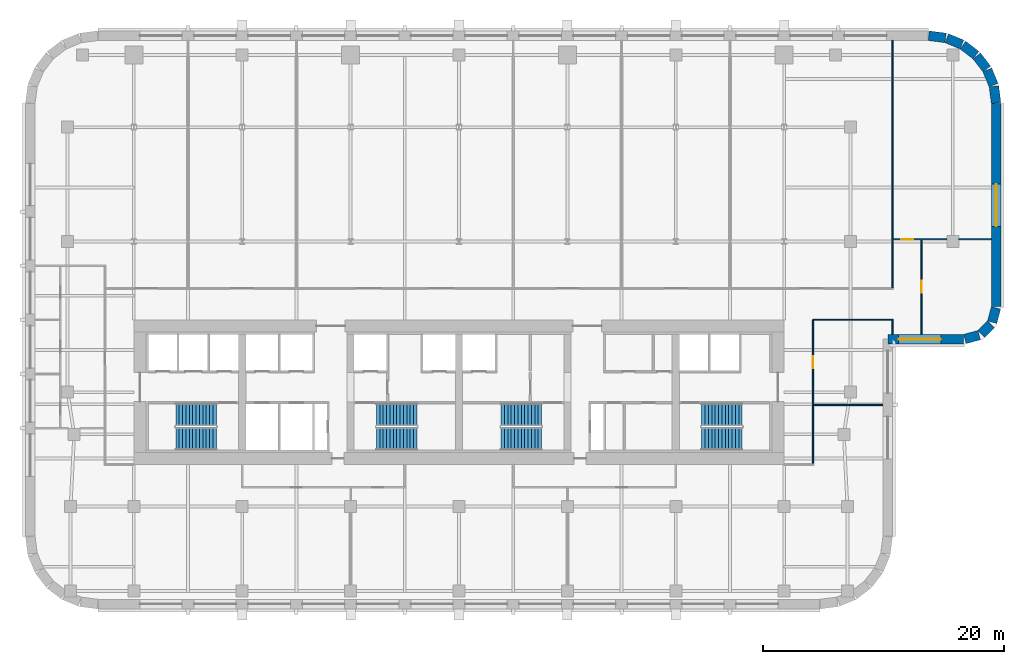
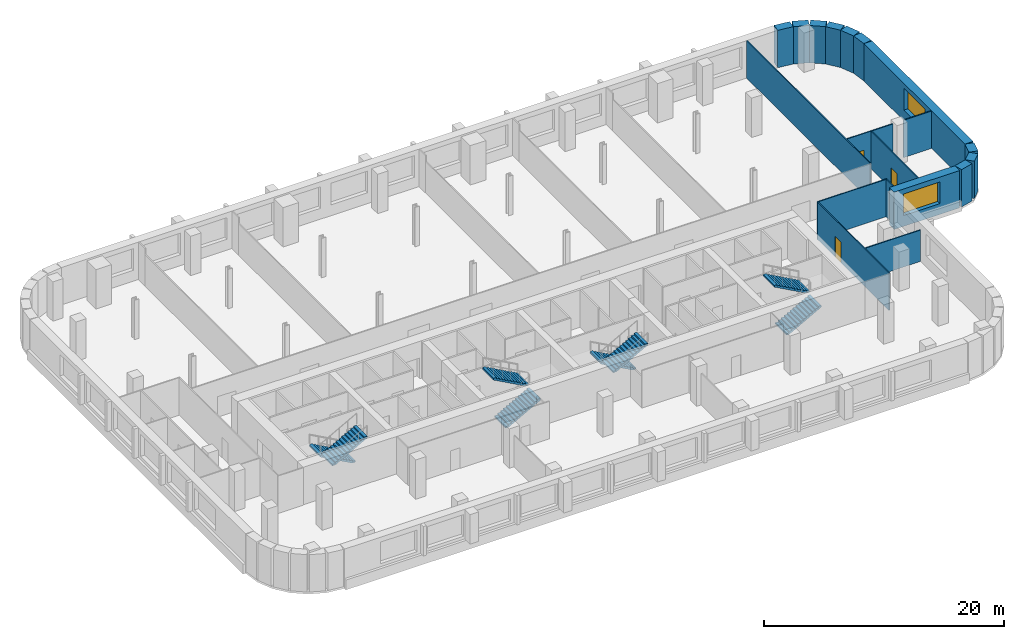
# One storey, part 7 of 9: 19 walls, 8 stair flights, 3 doors, 2 windows, 5 openings, 4 elements without a shape of their own.
"""IFC4 building model written with IfcOpenShell, lengths in metres."""

import ifcopenshell
import ifcopenshell.guid

model = None  # the IFC model being written
_history = None  # IfcOwnerHistory: only IFC2X3 demands one
_inside = {}  # id of a spatial element -> (the spatial element, [elements in it])
_under = {}  # id of a project, library or spatial element -> (it, [spatial elements below it])
_declared = {}  # id of a project -> (the project, [libraries it declares])
_typed = {}  # id of a type object -> (the type object, [elements of that type])
_made_of = {}  # id of a material, layer set ... -> (it, [elements and type objects made of it])


def new_model(schema):
    """Start an empty IFC model of exactly this schema.

    Asked for "IFC4X3", IfcOpenShell would pick the latest addendum, in which some entities
    have other attributes; the version numbers below select the first issue.
    IFC2X3 requires an IfcOwnerHistory on every rooted entity: one is made here for all.
    """
    global model, _history
    if schema == "IFC4X3":
        model = ifcopenshell.file(schema_version=(4, 3, 0, 0))
    else:
        model = ifcopenshell.file(schema=schema)
    _inside.clear()
    _under.clear()
    _declared.clear()
    _typed.clear()
    _made_of.clear()
    _history = None
    if model.schema == "IFC2X3":
        org = make("IfcOrganization", Name="unknown")
        user = make(
            "IfcPersonAndOrganization",
            ThePerson=make("IfcPerson", FamilyName="unknown"),
            TheOrganization=org,
        )
        app = make(
            "IfcApplication",
            ApplicationDeveloper=org,
            Version="unknown",
            ApplicationFullName="unknown",
            ApplicationIdentifier="unknown",
        )
        _history = make(
            "IfcOwnerHistory",
            OwningUser=user,
            OwningApplication=app,
            ChangeAction="ADDED",
            CreationDate=0,
        )
    return model


def make(cls, **values):
    """One entity of the class cls with the attributes given. An attribute that is None is left unset."""
    return model.create_entity(
        cls, **{name: value for name, value in values.items() if value is not None}
    )


def rooted(cls, **values):
    """An entity with a GlobalId (a new one), such as an element, a storey or a relation."""
    return make(cls, GlobalId=ifcopenshell.guid.new(), OwnerHistory=_history, **values)


def si_unit(unit_type, name, prefix=None):
    """IfcSIUnit, for example si_unit("LENGTHUNIT", "METRE", prefix="MILLI")."""
    return make("IfcSIUnit", UnitType=unit_type, Prefix=prefix, Name=name)


def assignment(units):
    """IfcUnitAssignment: the units of a project."""
    return None if units is None else make("IfcUnitAssignment", Units=units)


def point(xyz):
    """IfcCartesianPoint."""
    return None if xyz is None else make("IfcCartesianPoint", Coordinates=xyz)


def direction(xyz):
    """IfcDirection."""
    return None if xyz is None else make("IfcDirection", DirectionRatios=xyz)


def frame(location, z_axis=None, x_axis=None):
    """IfcAxis2Placement3D, a coordinate frame: its origin and axes. An axis left out is left unset."""
    return make(
        "IfcAxis2Placement3D",
        Location=point(location),
        Axis=direction(z_axis),
        RefDirection=direction(x_axis),
    )


def frame_2d(location, x_axis=None):
    """IfcAxis2Placement2D, a coordinate frame in the plane: its origin and x axis."""
    return make(
        "IfcAxis2Placement2D", Location=point(location), RefDirection=direction(x_axis)
    )


def origin():
    """The frame at (0, 0, 0) with its axes left unset."""
    return frame((0.0, 0.0, 0.0))


def place(relative_to, where):
    """IfcLocalPlacement: puts the frame where relative to a parent placement (None: the world)."""
    return make(
        "IfcLocalPlacement", PlacementRelTo=relative_to, RelativePlacement=where
    )


def context(
    kind, dimensions, precision=None, world=None, true_north=None, identifier=None
):
    """IfcGeometricRepresentationContext, for example the 3D "Model" context."""
    return make(
        "IfcGeometricRepresentationContext",
        ContextIdentifier=identifier,
        ContextType=kind,
        CoordinateSpaceDimension=dimensions,
        Precision=precision,
        WorldCoordinateSystem=world,
        TrueNorth=true_north,
    )


def subcontext(parent, identifier, kind, view, scale=None):
    """IfcGeometricRepresentationSubContext, for example "Body" below "Model"."""
    return make(
        "IfcGeometricRepresentationSubContext",
        ContextIdentifier=identifier,
        ContextType=kind,
        ParentContext=parent,
        TargetScale=scale,
        TargetView=view,
    )


def project(units=None, contexts=None):
    """IfcProject with its units and contexts."""
    return rooted(
        "IfcProject",
        Name="project",
        RepresentationContexts=contexts,
        UnitsInContext=assignment(units),
    )


def spatial(cls, under=None, at=None, **own):
    """A site, building, storey or space (cls), placed at a placement, below another one or the project."""
    s = rooted(cls, ObjectPlacement=at, **own)
    if under is not None:
        _under.setdefault(under.id(), (under, []))[1].append(s)
    return s


def polyline(points):
    """IfcPolyline through the points."""
    return make("IfcPolyline", Points=[point(p) for p in points])


def profile(cls, at=None, kind="AREA", **sizes):
    """A parametric profile (cls). Its sizes go by their IFC names, for example OverallWidth=200.0."""
    return make(cls, ProfileType=kind, Position=at, **sizes)


def rectangle(**sizes):
    """IfcRectangleProfileDef."""
    return profile("IfcRectangleProfileDef", **sizes)


def outline(outer, holes=None, kind="AREA"):
    """IfcArbitraryClosedProfileDef: a profile drawn as a closed curve; with holes, ...WithVoids."""
    if holes is None:
        return make("IfcArbitraryClosedProfileDef", ProfileType=kind, OuterCurve=outer)
    return make(
        "IfcArbitraryProfileDefWithVoids",
        ProfileType=kind,
        OuterCurve=outer,
        InnerCurves=holes,
    )


def extrude(swept, where, along, depth):
    """IfcExtrudedAreaSolid: the profile swept, set in the frame where, extruded along a direction by depth."""
    return make(
        "IfcExtrudedAreaSolid",
        SweptArea=swept,
        Position=where,
        ExtrudedDirection=direction(along),
        Depth=depth,
    )


def shape(context_of_items, identifier, shape_type, items):
    """IfcShapeRepresentation: the items that make up one representation, for example the "Body"."""
    return make(
        "IfcShapeRepresentation",
        ContextOfItems=context_of_items,
        RepresentationIdentifier=identifier,
        RepresentationType=shape_type,
        Items=items,
    )


def material(Name=None, Category=None):
    """IfcMaterial."""
    return make("IfcMaterial", Name=Name, Category=Category)


def layer(
    of_material, thickness, ventilated=None, Name=None, Category=None, Priority=None
):
    """IfcMaterialLayer: one layer of a wall or slab, of a material (None: an air gap)."""
    return make(
        "IfcMaterialLayer",
        Material=of_material,
        LayerThickness=thickness,
        IsVentilated=ventilated,
        Name=Name,
        Category=Category,
        Priority=Priority,
    )


def layer_set(layers, Name=None):
    """IfcMaterialLayerSet."""
    return make("IfcMaterialLayerSet", MaterialLayers=layers, LayerSetName=Name)


def made_of(thing, what):
    """Note that an element or type object is made of a material, layer set ...; save() writes the relation."""
    if what is not None:
        _made_of.setdefault(what.id(), (what, []))[1].append(thing)
    return thing


def type_object(cls, material=None, **own):
    """A type object (cls), such as IfcWallType, which elements share."""
    return made_of(rooted(cls, **own), material)


def element(
    cls,
    number,
    at=None,
    inside=None,
    cuts=None,
    type_object=None,
    material=None,
    context=None,
    identifier="Body",
    shape_type=None,
    held_by="IfcProductDefinitionShape",
    body=None,
    shapes=None,
    **own,
):
    """One element of the class cls, such as IfcWall. Its Tag is "e" and its number.

    at: its placement. inside: the storey or other place that contains it. cuts: it is an
    opening in that element (IfcRelVoidsElement). A single representation is given by context,
    identifier, shape_type and body (its items); several are given by shapes. held_by: the class
    of the entity that holds the representations. save() writes the other relations.
    """
    e = rooted(cls, Tag="e%d" % number, ObjectPlacement=at, **own)
    if body is not None:
        shapes = [shape(context, identifier, shape_type, body)]
    if shapes is not None:
        e.Representation = make(held_by, Representations=shapes)
    if inside is not None:
        _inside.setdefault(inside.id(), (inside, []))[1].append(e)
    if cuts is not None:
        rooted(
            "IfcRelVoidsElement", RelatingBuildingElement=cuts, RelatedOpeningElement=e
        )
    if type_object is not None:
        _typed.setdefault(type_object.id(), (type_object, []))[1].append(e)
    return made_of(e, material)


def fill(opening, filler):
    """IfcRelFillsElement: the door or window that sits in an opening."""
    return rooted(
        "IfcRelFillsElement",
        RelatingOpeningElement=opening,
        RelatedBuildingElement=filler,
    )


def aggregate(whole, parts):
    """IfcRelAggregates: a whole, such as a stair, and the parts it consists of."""
    return rooted("IfcRelAggregates", RelatingObject=whole, RelatedObjects=parts)


def save(model, path):
    """Write the relations noted so far, then the file.

    IfcRelAggregates (storeys below a building ...), IfcRelContainedInSpatialStructure (elements
    in a storey), IfcRelDefinesByType, IfcRelAssociatesMaterial and IfcRelDeclares: one each for
    every whole, place, type object, material and project.
    """
    for whole, parts in _under.values():
        aggregate(whole, parts)
    for where, things in _inside.values():
        rooted(
            "IfcRelContainedInSpatialStructure",
            RelatedElements=things,
            RelatingStructure=where,
        )
    for kind, things in _typed.values():
        rooted("IfcRelDefinesByType", RelatedObjects=things, RelatingType=kind)
    for what, things in _made_of.values():
        rooted("IfcRelAssociatesMaterial", RelatedObjects=things, RelatingMaterial=what)
    for by, libraries in _declared.values():
        rooted("IfcRelDeclares", RelatingContext=by, RelatedDefinitions=libraries)
    model.write(path)


model = new_model("IFC4")

# Units and contexts
model_context = context("Model", 3, precision=1e-05, world=origin(), true_north=direction((0.0, 1.0)))
body_context = subcontext(model_context, "Body", "Model", "MODEL_VIEW")
ifc_project = project(units=[si_unit("LENGTHUNIT", "METRE"), si_unit("AREAUNIT", "SQUARE_METRE"), si_unit("VOLUMEUNIT", "CUBIC_METRE"), si_unit("PLANEANGLEUNIT", "RADIAN"), si_unit("MASSUNIT", "GRAM", prefix="KILO")], contexts=[model_context])

# Site, building, storey
site_placement = place(None, origin())
site = spatial("IfcSite", under=ifc_project, at=site_placement, CompositionType="ELEMENT")
building_placement = place(site_placement, origin())
building = spatial("IfcBuilding", under=site, at=building_placement, Name="Zellij Exchange Tower", CompositionType="ELEMENT")
storey_placement = place(building_placement, frame((0.0, 0.0, 136.5)))
storey = spatial("IfcBuildingStorey", under=building, at=storey_placement, Name="L30", CompositionType="ELEMENT", Elevation=136.5)

# Wall, opening, window
ifc_material_1 = material(Name="Precast concrete C40/50", Category="concrete")
ifc_layer_1 = layer(ifc_material_1, 0.800048828125)
ifc_layer_set_1 = layer_set([ifc_layer_1], Name="Precast concrete C40/50")
wall_type_1 = type_object("IfcWallType", Name="ENV-EW1 Precast stone-piered wall 800", PredefinedType="SOLIDWALL", material=ifc_layer_set_1)
wall_1_placement = place(storey_placement, frame((35.60009765625, -3.60009765625, 0.0), z_axis=(0.0, 0.0, 1.0), x_axis=(1.0, 0.0, 0.0)))
wall_1 = element("IfcWall", 1, at=wall_1_placement, inside=storey, type_object=wall_type_1, Name="fac.L30.08", PredefinedType="SOLIDWALL", context=body_context, shape_type="SweptSolid", body=[
    extrude(rectangle(XDim=6.29443359375, YDim=0.800048828125, at=frame_2d((3.147216796875, 0.0))), origin(), (0.0, 0.0, 1.0), 3.800048828125),
])
opening_1_placement = place(wall_1_placement, frame((0.89990234375, 0.0, 1.10009765625)))
opening_1 = element("IfcOpeningElement", 2, at=opening_1_placement, cuts=wall_1, Name="Opening FZ2.15", PredefinedType="OPENING", context=body_context, shape_type="SweptSolid", body=[
    extrude(rectangle(XDim=3.5, YDim=2.199951171875, at=frame_2d((1.75, 1.10009765625))), frame((0.0, 0.412109375, 0.0), z_axis=(0.0, -1.0, 0.0), x_axis=(1.0, 0.0, 0.0)), (0.0, 0.0, 1.0), 0.823974609375),
])
ifc_material_2 = material(Name="Aluminium frame with insulating glass", Category="aluminium")
window_type = type_object("IfcWindowType", Name="ENV-W7 Window 3500x2200", PartitioningType="SINGLE_PANEL", PredefinedType="WINDOW", material=ifc_material_2)
window_1_placement = place(opening_1_placement, origin())
window_1 = element("IfcWindow", 3, at=window_1_placement, inside=storey, type_object=window_type, Name="Window FZ2.15", OverallHeight=2.199951171875, OverallWidth=3.5, PartitioningType="SINGLE_PANEL", PredefinedType="WINDOW", context=body_context, shape_type="SweptSolid", body=[
    extrude(rectangle(XDim=3.5, YDim=2.199951171875, at=frame_2d((1.75, 1.10009765625))), frame((0.0, 0.030029296875, 0.0), z_axis=(0.0, -1.0, 0.0), x_axis=(1.0, 0.0, 0.0)), (0.0, 0.0, 1.0), 0.06005859375),
])
fill(opening_1, window_1)

# Walls
wall_2_placement = place(storey_placement, frame((41.998291015625, -3.58642578125, 0.0), z_axis=(0.0, 0.0, 1.0), x_axis=(0.965892366842, 0.258943885187, 0.0)))
element("IfcWall", 4, at=wall_2_placement, inside=storey, type_object=wall_type_1, Name="fac.L30.09", PredefinedType="SOLIDWALL", context=body_context, shape_type="SweptSolid", body=[
    extrude(rectangle(XDim=1.233154296875, YDim=0.800048828125, at=frame_2d((0.61669921875, 0.0))), origin(), (0.0, 0.0, 1.0), 3.800048828125),
])
wall_3_placement = place(storey_placement, frame((43.36865234375, -3.163818359375, 0.0), z_axis=(0.0, 0.0, 1.0), x_axis=(0.707106781187, 0.707106781187, 0.0)))
element("IfcWall", 5, at=wall_3_placement, inside=storey, type_object=wall_type_1, Name="fac.L30.10", PredefinedType="SOLIDWALL", context=body_context, shape_type="SweptSolid", body=[
    extrude(rectangle(XDim=1.12451171875, YDim=0.800048828125, at=frame_2d((0.562255859375, 0.0))), origin(), (0.0, 0.0, 1.0), 3.800048828125),
])
wall_4_placement = place(storey_placement, frame((44.26708984375, -2.189453125, 0.0), z_axis=(0.0, 0.0, 1.0), x_axis=(0.258943885187, 0.965892366842, 0.0)))
element("IfcWall", 6, at=wall_4_placement, inside=storey, type_object=wall_type_1, Name="fac.L30.11", PredefinedType="SOLIDWALL", context=body_context, shape_type="SweptSolid", body=[
    extrude(rectangle(XDim=1.233154296875, YDim=0.800048828125, at=frame_2d((0.61669921875, 0.0))), origin(), (0.0, 0.0, 1.0), 3.800048828125),
])

# Wall, opening, window
wall_5_placement = place(storey_placement, frame((44.60009765625, -0.89453125, 0.0), z_axis=(0.0, 0.0, 1.0), x_axis=(0.0, 1.0, 0.0)))
wall_5 = element("IfcWall", 7, at=wall_5_placement, inside=storey, type_object=wall_type_1, Name="fac.L30.12", PredefinedType="SOLIDWALL", context=body_context, shape_type="SweptSolid", body=[
    extrude(rectangle(XDim=16.842041015625, YDim=0.800048828125, at=frame_2d((8.4208984375, 0.0))), origin(), (0.0, 0.0, 1.0), 3.800048828125),
])
opening_2_placement = place(wall_5_placement, frame((6.657958984375, 0.0, 1.10009765625)))
opening_2 = element("IfcOpeningElement", 8, at=opening_2_placement, cuts=wall_5, Name="Opening FZ2.16", PredefinedType="OPENING", context=body_context, shape_type="SweptSolid", body=[
    extrude(rectangle(XDim=3.5, YDim=2.199951171875, at=frame_2d((1.75, 1.10009765625))), frame((0.0, 0.412109375, 0.0), z_axis=(0.0, -1.0, 0.0), x_axis=(1.0, 0.0, 0.0)), (0.0, 0.0, 1.0), 0.823974609375),
])
window_2_placement = place(opening_2_placement, origin())
window_2 = element("IfcWindow", 9, at=window_2_placement, inside=storey, type_object=window_type, Name="Window FZ2.16", OverallHeight=2.199951171875, OverallWidth=3.5, PartitioningType="SINGLE_PANEL", PredefinedType="WINDOW", context=body_context, shape_type="SweptSolid", body=[
    extrude(rectangle(XDim=3.5, YDim=2.199951171875, at=frame_2d((1.75, 1.10009765625))), frame((0.0, 0.030029296875, 0.0), z_axis=(0.0, -1.0, 0.0), x_axis=(1.0, 0.0, 0.0)), (0.0, 0.0, 1.0), 0.06005859375),
])
fill(opening_2, window_2)

# Walls
wall_6_placement = place(storey_placement, frame((44.5966796875, 15.999755859375, 0.0), z_axis=(0.0, 0.0, 1.0), x_axis=(-0.130517283865, 0.99144603414, 0.0)))
element("IfcWall", 10, at=wall_6_placement, inside=storey, type_object=wall_type_1, Name="fac.L30.13", PredefinedType="SOLIDWALL", context=body_context, shape_type="SweptSolid", body=[
    extrude(rectangle(XDim=1.408447265625, YDim=0.800048828125, at=frame_2d((0.7041015625, 0.0))), origin(), (0.0, 0.0, 1.0), 3.800048828125),
])
wall_7_placement = place(storey_placement, frame((44.3857421875, 17.497314453125, 0.0), z_axis=(0.0, 0.0, 1.0), x_axis=(-0.38276009378, 0.923847774587, 0.0)))
element("IfcWall", 11, at=wall_7_placement, inside=storey, type_object=wall_type_1, Name="fac.L30.14", PredefinedType="SOLIDWALL", context=body_context, shape_type="SweptSolid", body=[
    extrude(rectangle(XDim=1.35546875, YDim=0.800048828125, at=frame_2d((0.677734375, 0.0))), origin(), (0.0, 0.0, 1.0), 3.800048828125),
])
for number, where, z_axis, x_axis, name in (
    (12, (43.814697265625, 18.840087890625, 0.0), (0.0, 0.0, 1.0), (-0.608866226366, 0.793272915452, 0.0), "fac.L30.15"),
    (13, (42.91552734375, 19.9892578125, 0.0), (0.0, 0.0, 1.0), (-0.793272915452, 0.608866226366, 0.0), "fac.L30.16"),
):
    element("IfcWall", number, at=place(storey_placement, frame(where, z_axis=z_axis, x_axis=x_axis)), inside=storey, type_object=wall_type_1, Name=name, PredefinedType="SOLIDWALL", context=body_context, shape_type="SweptSolid", body=[
        extrude(rectangle(XDim=1.355712890625, YDim=0.800048828125, at=frame_2d((0.677734375, 0.0))), origin(), (0.0, 0.0, 1.0), 3.800048828125),
    ])
wall_8_placement = place(storey_placement, frame((41.74951171875, 20.866943359375, 0.0), z_axis=(0.0, 0.0, 1.0), x_axis=(-0.923847774587, 0.38276009378, 0.0)))
element("IfcWall", 14, at=wall_8_placement, inside=storey, type_object=wall_type_1, Name="fac.L30.17", PredefinedType="SOLIDWALL", context=body_context, shape_type="SweptSolid", body=[
    extrude(rectangle(XDim=1.35546875, YDim=0.800048828125, at=frame_2d((0.677734375, 0.0))), origin(), (0.0, 0.0, 1.0), 3.800048828125),
])
wall_9_placement = place(storey_placement, frame((40.396240234375, 21.412841796875, 0.0), z_axis=(0.0, 0.0, 1.0), x_axis=(-0.99144603414, 0.130517283865, 0.0)))
element("IfcWall", 15, at=wall_9_placement, inside=storey, type_object=wall_type_1, Name="fac.L30.18", PredefinedType="SOLIDWALL", context=body_context, shape_type="SweptSolid", body=[
    extrude(rectangle(XDim=1.408447265625, YDim=0.800048828125, at=frame_2d((0.7041015625, 0.0))), origin(), (0.0, 0.0, 1.0), 3.800048828125),
])

# Wall, opening, door
ifc_material_3 = material(Name="Gypsum board partition on steel studs", Category="steel")
ifc_layer_2 = layer(ifc_material_3, 0.10009765625)
ifc_layer_set_2 = layer_set([ifc_layer_2], Name="Gypsum board partition on steel studs")
wall_type_2 = type_object("IfcWallType", Name="FIT-PARTITION-100", PredefinedType="PARTITIONING", material=ifc_layer_set_2)
wall_10_placement = place(storey_placement, frame((29.39990234375, -13.949951171875, 0.0), z_axis=(0.0, 0.0, 1.0), x_axis=(0.0, 1.0, 0.0)))
wall_10 = element("IfcWall", 16, at=wall_10_placement, inside=storey, type_object=wall_type_2, Name="FIT-PARTITION-100 014", PredefinedType="PARTITIONING", context=body_context, shape_type="SweptSolid", body=[
    extrude(rectangle(XDim=11.89990234375, YDim=0.10009765625, at=frame_2d((5.949951171875, 0.0))), origin(), (0.0, 0.0, 1.0), 3.800048828125),
])
opening_3_placement = place(wall_10_placement, frame((7.93994140625, 0.0, 0.0)))
opening_3 = element("IfcOpeningElement", 17, at=opening_3_placement, cuts=wall_10, Name="Opening TG.05", PredefinedType="OPENING", context=body_context, shape_type="SweptSolid", body=[
    extrude(rectangle(XDim=1.0, YDim=2.10009765625, at=frame_2d((0.5, 1.050048828125))), frame((0.0, 0.06201171875, 0.0), z_axis=(0.0, -1.0, 0.0), x_axis=(1.0, 0.0, 0.0)), (0.0, 0.0, 1.0), 0.1240234375),
])
ifc_material_4 = material(Name="Timber door set", Category="wood")
door_type = type_object("IfcDoorType", Name="FIT-D2-WIDE-1000X2100", OperationType="SINGLE_SWING_LEFT", PredefinedType="DOOR", material=ifc_material_4)
door_1_placement = place(opening_3_placement, origin())
door_1 = element("IfcDoor", 18, at=door_1_placement, inside=storey, type_object=door_type, Name="Door TG.05", OperationType="SINGLE_SWING_RIGHT", OverallHeight=2.10009765625, OverallWidth=1.0, PredefinedType="DOOR", context=body_context, shape_type="SweptSolid", body=[
    extrude(rectangle(XDim=1.0, YDim=2.10009765625, at=frame_2d((0.5, 1.050048828125))), frame((0.0, 0.02490234375, 0.0), z_axis=(0.0, -1.0, 0.0), x_axis=(1.0, 0.0, 0.0)), (0.0, 0.0, 1.0), 0.050048828125),
])
fill(opening_3, door_1)

# Walls
wall_11_placement = place(storey_placement, frame((29.449951171875, -9.06005859375, 0.0), z_axis=(0.0, 0.0, 1.0), x_axis=(1.0, 0.0, 0.0)))
element("IfcWall", 19, at=wall_11_placement, inside=storey, type_object=wall_type_2, Name="FIT-PARTITION-100 018", PredefinedType="PARTITIONING", context=body_context, shape_type="SweptSolid", body=[
    extrude(rectangle(XDim=5.75, YDim=0.10009765625, at=frame_2d((2.875, 0.0))), origin(), (0.0, 0.0, 1.0), 3.197998046875),
])
wall_12_placement = place(storey_placement, frame((36.0, -3.199951171875, 0.0), z_axis=(0.0, 0.0, 1.0), x_axis=(0.0, 1.0, 0.0)))
element("IfcWall", 20, at=wall_12_placement, inside=storey, type_object=wall_type_2, Name="FIT-PARTITION-100 020", PredefinedType="PARTITIONING", context=body_context, shape_type="SweptSolid", body=[
    extrude(rectangle(XDim=1.14990234375, YDim=0.10009765625, at=frame_2d((0.574951171875, 0.0))), origin(), (0.0, 0.0, 1.0), 3.800048828125),
])

# Wall, opening, door
wall_13_placement = place(storey_placement, frame((38.39990234375, -3.199951171875, 0.0), z_axis=(0.0, 0.0, 1.0), x_axis=(0.0, 1.0, 0.0)))
wall_13 = element("IfcWall", 21, at=wall_13_placement, inside=storey, type_object=wall_type_2, Name="FIT-PARTITION-100 021", PredefinedType="PARTITIONING", context=body_context, shape_type="SweptSolid", body=[
    extrude(rectangle(XDim=7.83984375, YDim=0.10009765625, at=frame_2d((3.919921875, 0.0))), origin(), (0.0, 0.0, 1.0), 3.800048828125),
])
opening_4_placement = place(wall_13_placement, frame((3.449951171875, 0.0, 0.0)))
opening_4 = element("IfcOpeningElement", 22, at=opening_4_placement, cuts=wall_13, Name="Opening TG.16", PredefinedType="OPENING", context=body_context, shape_type="SweptSolid", body=[
    extrude(rectangle(XDim=1.0, YDim=2.10009765625, at=frame_2d((0.5, 1.050048828125))), frame((0.0, 0.06201171875, 0.0), z_axis=(0.0, -1.0, 0.0), x_axis=(1.0, 0.0, 0.0)), (0.0, 0.0, 1.0), 0.1240234375),
])
door_2_placement = place(opening_4_placement, origin())
door_2 = element("IfcDoor", 23, at=door_2_placement, inside=storey, type_object=door_type, Name="Door TG.16", OperationType="SINGLE_SWING_RIGHT", OverallHeight=2.10009765625, OverallWidth=1.0, PredefinedType="DOOR", context=body_context, shape_type="SweptSolid", body=[
    extrude(rectangle(XDim=1.0, YDim=2.10009765625, at=frame_2d((0.5, 1.050048828125))), frame((0.0, 0.02490234375, 0.0), z_axis=(0.0, -1.0, 0.0), x_axis=(1.0, 0.0, 0.0)), (0.0, 0.0, 1.0), 0.050048828125),
])
fill(opening_4, door_2)

# Walls
wall_14_placement = place(storey_placement, frame((29.35009765625, -2.0, 0.0), z_axis=(0.0, 0.0, 1.0), x_axis=(1.0, 0.0, 0.0)))
element("IfcWall", 24, at=wall_14_placement, inside=storey, type_object=wall_type_2, Name="FIT-PARTITION-100 023", PredefinedType="PARTITIONING", context=body_context, shape_type="SweptSolid", body=[
    extrude(rectangle(XDim=6.699951171875, YDim=0.10009765625, at=frame_2d((3.35009765625, 0.0))), origin(), (0.0, 0.0, 1.0), 3.800048828125),
])
wall_15_placement = place(storey_placement, frame((36.0, 0.64990234375, 0.0), z_axis=(0.0, 0.0, 1.0), x_axis=(0.0, 1.0, 0.0)))
element("IfcWall", 25, at=wall_15_placement, inside=storey, type_object=wall_type_2, Name="FIT-PARTITION-100 035", PredefinedType="PARTITIONING", context=body_context, shape_type="SweptSolid", body=[
    extrude(rectangle(XDim=20.550048828125, YDim=0.10009765625, at=frame_2d((10.27490234375, 0.0))), origin(), (0.0, 0.0, 1.0), 3.800048828125),
])

# Wall, opening, door
wall_16_placement = place(storey_placement, frame((36.050048828125, 4.68994140625, 0.0), z_axis=(0.0, 0.0, 1.0), x_axis=(1.0, 0.0, 0.0)))
wall_16 = element("IfcWall", 26, at=wall_16_placement, inside=storey, type_object=wall_type_2, Name="FIT-PARTITION-100 037", PredefinedType="PARTITIONING", context=body_context, shape_type="SweptSolid", body=[
    extrude(rectangle(XDim=4.449951171875, YDim=0.10009765625, at=frame_2d((2.22509765625, 0.0))), origin(), (0.0, 0.0, 1.0), 3.800048828125),
])
opening_5_placement = place(wall_16_placement, frame((0.64990234375, 0.0, 0.0)))
opening_5 = element("IfcOpeningElement", 27, at=opening_5_placement, cuts=wall_16, Name="Opening TG.17", PredefinedType="OPENING", context=body_context, shape_type="SweptSolid", body=[
    extrude(rectangle(XDim=1.0, YDim=2.10009765625, at=frame_2d((0.5, 1.050048828125))), frame((0.0, 0.06201171875, 0.0), z_axis=(0.0, -1.0, 0.0), x_axis=(1.0, 0.0, 0.0)), (0.0, 0.0, 1.0), 0.1240234375),
])
door_3_placement = place(opening_5_placement, origin())
door_3 = element("IfcDoor", 28, at=door_3_placement, inside=storey, type_object=door_type, Name="Door TG.17", OperationType="SINGLE_SWING_LEFT", OverallHeight=2.10009765625, OverallWidth=1.0, PredefinedType="DOOR", context=body_context, shape_type="SweptSolid", body=[
    extrude(rectangle(XDim=1.0, YDim=2.10009765625, at=frame_2d((0.5, 1.050048828125))), frame((0.0, 0.02490234375, 0.0), z_axis=(0.0, -1.0, 0.0), x_axis=(1.0, 0.0, 0.0)), (0.0, 0.0, 1.0), 0.050048828125),
])
fill(opening_5, door_3)

# Wall
wall_17_placement = place(storey_placement, frame((41.5, 4.68994140625, 0.0), z_axis=(0.0, 0.0, 1.0), x_axis=(1.0, 0.0, 0.0)))
element("IfcWall", 29, at=wall_17_placement, inside=storey, type_object=wall_type_2, Name="FIT-PARTITION-100 038", PredefinedType="PARTITIONING", context=body_context, shape_type="SweptSolid", body=[
    extrude(rectangle(XDim=2.699951171875, YDim=0.10009765625, at=frame_2d((1.35009765625, 0.0))), origin(), (0.0, 0.0, 1.0), 3.800048828125),
])

# Stair, stair flights
ifc_material_5 = material(Name="Concrete C40/50", Category="concrete")
stair_type = type_object("IfcStairType", Name="CORE-ST exit stair 1850 wide", PredefinedType="HALF_TURN_STAIR", material=ifc_material_5)
stair_1_placement = place(storey_placement, origin())
stair_1 = element("IfcStair", 30, at=stair_1_placement, inside=storey, type_object=stair_type, Name="L30 exit stair ST1", PredefinedType="HALF_TURN_STAIR")
stair_flight_type = type_object("IfcStairFlightType", Name="CORE-SF flight 1850 riser 153.8 going 280", PredefinedType="STRAIGHT", material=ifc_material_5)
stair_flight_1_placement = place(storey_placement, frame((-20.14990234375, -9.875, 0.0), z_axis=(0.0, 0.0, 1.0), x_axis=(-1.0, 0.0, 0.0)))
stair_flight_1 = element("IfcStairFlight", 31, at=stair_flight_1_placement, type_object=stair_flight_type, Name="ST1 flight 1", NumberOfRisers=13, NumberOfTreads=12, PredefinedType="STRAIGHT", RiserHeight=0.153846154, TreadLength=0.28, context=body_context, shape_type="SweptSolid", body=[
    extrude(outline(polyline([(0.0, 0.0), (0.0, 0.15380859375), (0.280029296875, 0.15380859375), (0.280029296875, 0.3076171875), (0.56005859375, 0.3076171875), (0.56005859375, 0.46142578125), (0.840087890625, 0.46142578125), (0.840087890625, 0.615478515625), (1.1201171875, 0.615478515625), (1.1201171875, 0.769287109375), (1.39990234375, 0.769287109375), (1.39990234375, 0.923095703125), (1.679931640625, 0.923095703125), (1.679931640625, 1.076904296875), (1.9599609375, 1.076904296875), (1.9599609375, 1.230712890625), (2.239990234375, 1.230712890625), (2.239990234375, 1.384521484375), (2.52001953125, 1.384521484375), (2.52001953125, 1.53857421875), (2.800048828125, 1.53857421875), (2.800048828125, 1.6923828125), (3.080078125, 1.6923828125), (3.080078125, 1.84619140625), (3.360107421875, 1.84619140625), (3.360107421875, 2.0), (3.360107421875, 1.675048828125), (0.311279296875, 0.0), (0.0, 0.0)])), frame((0.0, 0.925048828125, 0.0), z_axis=(0.0, -1.0, 0.0), x_axis=(1.0, 0.0, 0.0)), (0.0, 0.0, 1.0), 1.85009765625),
])
stair_flight_2_placement = place(storey_placement, frame((-23.510009765625, -11.875, 2.0), z_axis=(0.0, 0.0, 1.0), x_axis=(1.0, 0.0, 0.0)))
stair_flight_2 = element("IfcStairFlight", 32, at=stair_flight_2_placement, type_object=stair_flight_type, Name="ST1 flight 2", NumberOfRisers=13, NumberOfTreads=12, PredefinedType="STRAIGHT", RiserHeight=0.153846154, TreadLength=0.28, context=body_context, shape_type="SweptSolid", body=[
    extrude(outline(polyline([(0.0, 0.0), (0.0, 0.15380859375), (0.280029296875, 0.15380859375), (0.280029296875, 0.3076171875), (0.56005859375, 0.3076171875), (0.56005859375, 0.46142578125), (0.840087890625, 0.46142578125), (0.840087890625, 0.615478515625), (1.1201171875, 0.615478515625), (1.1201171875, 0.769287109375), (1.39990234375, 0.769287109375), (1.39990234375, 0.923095703125), (1.679931640625, 0.923095703125), (1.679931640625, 1.076904296875), (1.9599609375, 1.076904296875), (1.9599609375, 1.230712890625), (2.239990234375, 1.230712890625), (2.239990234375, 1.384521484375), (2.52001953125, 1.384521484375), (2.52001953125, 1.53857421875), (2.800048828125, 1.53857421875), (2.800048828125, 1.6923828125), (3.080078125, 1.6923828125), (3.080078125, 1.84619140625), (3.360107421875, 1.84619140625), (3.360107421875, 2.0), (3.360107421875, 1.675048828125), (0.311279296875, 0.0), (0.0, 0.0)])), frame((0.0, 0.925048828125, 0.0), z_axis=(0.0, -1.0, 0.0), x_axis=(1.0, 0.0, 0.0)), (0.0, 0.0, 1.0), 1.85009765625),
])
aggregate(stair_1, [stair_flight_1, stair_flight_2])

stair_2_placement = place(storey_placement, origin())
stair_2 = element("IfcStair", 33, at=stair_2_placement, inside=storey, type_object=stair_type, Name="L30 exit stair ST2", PredefinedType="HALF_TURN_STAIR")
stair_flight_3_placement = place(storey_placement, frame((-6.85009765625, -11.875, 0.0), z_axis=(0.0, 0.0, 1.0), x_axis=(1.0, 0.0, 0.0)))
stair_flight_3 = element("IfcStairFlight", 34, at=stair_flight_3_placement, type_object=stair_flight_type, Name="ST2 flight 1", NumberOfRisers=13, NumberOfTreads=12, PredefinedType="STRAIGHT", RiserHeight=0.153846154, TreadLength=0.28, context=body_context, shape_type="SweptSolid", body=[
    extrude(outline(polyline([(0.0, 0.0), (0.0, 0.15380859375), (0.280029296875, 0.15380859375), (0.280029296875, 0.3076171875), (0.56005859375, 0.3076171875), (0.56005859375, 0.46142578125), (0.840087890625, 0.46142578125), (0.840087890625, 0.615478515625), (1.1201171875, 0.615478515625), (1.1201171875, 0.769287109375), (1.39990234375, 0.769287109375), (1.39990234375, 0.923095703125), (1.679931640625, 0.923095703125), (1.679931640625, 1.076904296875), (1.9599609375, 1.076904296875), (1.9599609375, 1.230712890625), (2.239990234375, 1.230712890625), (2.239990234375, 1.384521484375), (2.52001953125, 1.384521484375), (2.52001953125, 1.53857421875), (2.800048828125, 1.53857421875), (2.800048828125, 1.6923828125), (3.080078125, 1.6923828125), (3.080078125, 1.84619140625), (3.360107421875, 1.84619140625), (3.360107421875, 2.0), (3.360107421875, 1.675048828125), (0.311279296875, 0.0), (0.0, 0.0)])), frame((0.0, 0.925048828125, 0.0), z_axis=(0.0, -1.0, 0.0), x_axis=(1.0, 0.0, 0.0)), (0.0, 0.0, 1.0), 1.85009765625),
])
stair_flight_4_placement = place(storey_placement, frame((-3.489990234375, -9.875, 2.0), z_axis=(0.0, 0.0, 1.0), x_axis=(-1.0, 0.0, 0.0)))
stair_flight_4 = element("IfcStairFlight", 35, at=stair_flight_4_placement, type_object=stair_flight_type, Name="ST2 flight 2", NumberOfRisers=13, NumberOfTreads=12, PredefinedType="STRAIGHT", RiserHeight=0.153846154, TreadLength=0.28, context=body_context, shape_type="SweptSolid", body=[
    extrude(outline(polyline([(0.0, 0.0), (0.0, 0.15380859375), (0.280029296875, 0.15380859375), (0.280029296875, 0.3076171875), (0.56005859375, 0.3076171875), (0.56005859375, 0.46142578125), (0.840087890625, 0.46142578125), (0.840087890625, 0.615478515625), (1.1201171875, 0.615478515625), (1.1201171875, 0.769287109375), (1.39990234375, 0.769287109375), (1.39990234375, 0.923095703125), (1.679931640625, 0.923095703125), (1.679931640625, 1.076904296875), (1.9599609375, 1.076904296875), (1.9599609375, 1.230712890625), (2.239990234375, 1.230712890625), (2.239990234375, 1.384521484375), (2.52001953125, 1.384521484375), (2.52001953125, 1.53857421875), (2.800048828125, 1.53857421875), (2.800048828125, 1.6923828125), (3.080078125, 1.6923828125), (3.080078125, 1.84619140625), (3.360107421875, 1.84619140625), (3.360107421875, 2.0), (3.360107421875, 1.675048828125), (0.311279296875, 0.0), (0.0, 0.0)])), frame((0.0, 0.925048828125, 0.0), z_axis=(0.0, -1.0, 0.0), x_axis=(1.0, 0.0, 0.0)), (0.0, 0.0, 1.0), 1.85009765625),
])
aggregate(stair_2, [stair_flight_3, stair_flight_4])

stair_3_placement = place(storey_placement, origin())
stair_3 = element("IfcStair", 36, at=stair_3_placement, inside=storey, type_object=stair_type, Name="L30 exit stair ST3", PredefinedType="HALF_TURN_STAIR")
stair_flight_5_placement = place(storey_placement, frame((6.85009765625, -9.875, 0.0), z_axis=(0.0, 0.0, 1.0), x_axis=(-1.0, 0.0, 0.0)))
stair_flight_5 = element("IfcStairFlight", 37, at=stair_flight_5_placement, type_object=stair_flight_type, Name="ST3 flight 1", NumberOfRisers=13, NumberOfTreads=12, PredefinedType="STRAIGHT", RiserHeight=0.153846154, TreadLength=0.28, context=body_context, shape_type="SweptSolid", body=[
    extrude(outline(polyline([(0.0, 0.0), (0.0, 0.15380859375), (0.280029296875, 0.15380859375), (0.280029296875, 0.3076171875), (0.56005859375, 0.3076171875), (0.56005859375, 0.46142578125), (0.840087890625, 0.46142578125), (0.840087890625, 0.615478515625), (1.1201171875, 0.615478515625), (1.1201171875, 0.769287109375), (1.39990234375, 0.769287109375), (1.39990234375, 0.923095703125), (1.679931640625, 0.923095703125), (1.679931640625, 1.076904296875), (1.9599609375, 1.076904296875), (1.9599609375, 1.230712890625), (2.239990234375, 1.230712890625), (2.239990234375, 1.384521484375), (2.52001953125, 1.384521484375), (2.52001953125, 1.53857421875), (2.800048828125, 1.53857421875), (2.800048828125, 1.6923828125), (3.080078125, 1.6923828125), (3.080078125, 1.84619140625), (3.360107421875, 1.84619140625), (3.360107421875, 2.0), (3.360107421875, 1.675048828125), (0.311279296875, 0.0), (0.0, 0.0)])), frame((0.0, 0.925048828125, 0.0), z_axis=(0.0, -1.0, 0.0), x_axis=(1.0, 0.0, 0.0)), (0.0, 0.0, 1.0), 1.85009765625),
])
stair_flight_6_placement = place(storey_placement, frame((3.489990234375, -11.875, 2.0), z_axis=(0.0, 0.0, 1.0), x_axis=(1.0, 0.0, 0.0)))
stair_flight_6 = element("IfcStairFlight", 38, at=stair_flight_6_placement, type_object=stair_flight_type, Name="ST3 flight 2", NumberOfRisers=13, NumberOfTreads=12, PredefinedType="STRAIGHT", RiserHeight=0.153846154, TreadLength=0.28, context=body_context, shape_type="SweptSolid", body=[
    extrude(outline(polyline([(0.0, 0.0), (0.0, 0.15380859375), (0.280029296875, 0.15380859375), (0.280029296875, 0.3076171875), (0.56005859375, 0.3076171875), (0.56005859375, 0.46142578125), (0.840087890625, 0.46142578125), (0.840087890625, 0.615478515625), (1.1201171875, 0.615478515625), (1.1201171875, 0.769287109375), (1.39990234375, 0.769287109375), (1.39990234375, 0.923095703125), (1.679931640625, 0.923095703125), (1.679931640625, 1.076904296875), (1.9599609375, 1.076904296875), (1.9599609375, 1.230712890625), (2.239990234375, 1.230712890625), (2.239990234375, 1.384521484375), (2.52001953125, 1.384521484375), (2.52001953125, 1.53857421875), (2.800048828125, 1.53857421875), (2.800048828125, 1.6923828125), (3.080078125, 1.6923828125), (3.080078125, 1.84619140625), (3.360107421875, 1.84619140625), (3.360107421875, 2.0), (3.360107421875, 1.675048828125), (0.311279296875, 0.0), (0.0, 0.0)])), frame((0.0, 0.925048828125, 0.0), z_axis=(0.0, -1.0, 0.0), x_axis=(1.0, 0.0, 0.0)), (0.0, 0.0, 1.0), 1.85009765625),
])
aggregate(stair_3, [stair_flight_5, stair_flight_6])

stair_4_placement = place(storey_placement, origin())
stair_4 = element("IfcStair", 39, at=stair_4_placement, inside=storey, type_object=stair_type, Name="L30 exit stair ST4", PredefinedType="HALF_TURN_STAIR")
stair_flight_7_placement = place(storey_placement, frame((20.14990234375, -11.875, 0.0), z_axis=(0.0, 0.0, 1.0), x_axis=(1.0, 0.0, 0.0)))
stair_flight_7 = element("IfcStairFlight", 40, at=stair_flight_7_placement, type_object=stair_flight_type, Name="ST4 flight 1", NumberOfRisers=13, NumberOfTreads=12, PredefinedType="STRAIGHT", RiserHeight=0.153846154, TreadLength=0.28, context=body_context, shape_type="SweptSolid", body=[
    extrude(outline(polyline([(0.0, 0.0), (0.0, 0.15380859375), (0.280029296875, 0.15380859375), (0.280029296875, 0.3076171875), (0.56005859375, 0.3076171875), (0.56005859375, 0.46142578125), (0.840087890625, 0.46142578125), (0.840087890625, 0.615478515625), (1.1201171875, 0.615478515625), (1.1201171875, 0.769287109375), (1.39990234375, 0.769287109375), (1.39990234375, 0.923095703125), (1.679931640625, 0.923095703125), (1.679931640625, 1.076904296875), (1.9599609375, 1.076904296875), (1.9599609375, 1.230712890625), (2.239990234375, 1.230712890625), (2.239990234375, 1.384521484375), (2.52001953125, 1.384521484375), (2.52001953125, 1.53857421875), (2.800048828125, 1.53857421875), (2.800048828125, 1.6923828125), (3.080078125, 1.6923828125), (3.080078125, 1.84619140625), (3.360107421875, 1.84619140625), (3.360107421875, 2.0), (3.360107421875, 1.675048828125), (0.311279296875, 0.0), (0.0, 0.0)])), frame((0.0, 0.925048828125, 0.0), z_axis=(0.0, -1.0, 0.0), x_axis=(1.0, 0.0, 0.0)), (0.0, 0.0, 1.0), 1.85009765625),
])
stair_flight_8_placement = place(storey_placement, frame((23.510009765625, -9.875, 2.0), z_axis=(0.0, 0.0, 1.0), x_axis=(-1.0, 0.0, 0.0)))
stair_flight_8 = element("IfcStairFlight", 41, at=stair_flight_8_placement, type_object=stair_flight_type, Name="ST4 flight 2", NumberOfRisers=13, NumberOfTreads=12, PredefinedType="STRAIGHT", RiserHeight=0.153846154, TreadLength=0.28, context=body_context, shape_type="SweptSolid", body=[
    extrude(outline(polyline([(0.0, 0.0), (0.0, 0.15380859375), (0.280029296875, 0.15380859375), (0.280029296875, 0.3076171875), (0.56005859375, 0.3076171875), (0.56005859375, 0.46142578125), (0.840087890625, 0.46142578125), (0.840087890625, 0.615478515625), (1.1201171875, 0.615478515625), (1.1201171875, 0.769287109375), (1.39990234375, 0.769287109375), (1.39990234375, 0.923095703125), (1.679931640625, 0.923095703125), (1.679931640625, 1.076904296875), (1.9599609375, 1.076904296875), (1.9599609375, 1.230712890625), (2.239990234375, 1.230712890625), (2.239990234375, 1.384521484375), (2.52001953125, 1.384521484375), (2.52001953125, 1.53857421875), (2.800048828125, 1.53857421875), (2.800048828125, 1.6923828125), (3.080078125, 1.6923828125), (3.080078125, 1.84619140625), (3.360107421875, 1.84619140625), (3.360107421875, 2.0), (3.360107421875, 1.675048828125), (0.311279296875, 0.0), (0.0, 0.0)])), frame((0.0, 0.925048828125, 0.0), z_axis=(0.0, -1.0, 0.0), x_axis=(1.0, 0.0, 0.0)), (0.0, 0.0, 1.0), 1.85009765625),
])
aggregate(stair_4, [stair_flight_7, stair_flight_8])

save(model, "model.ifc")
